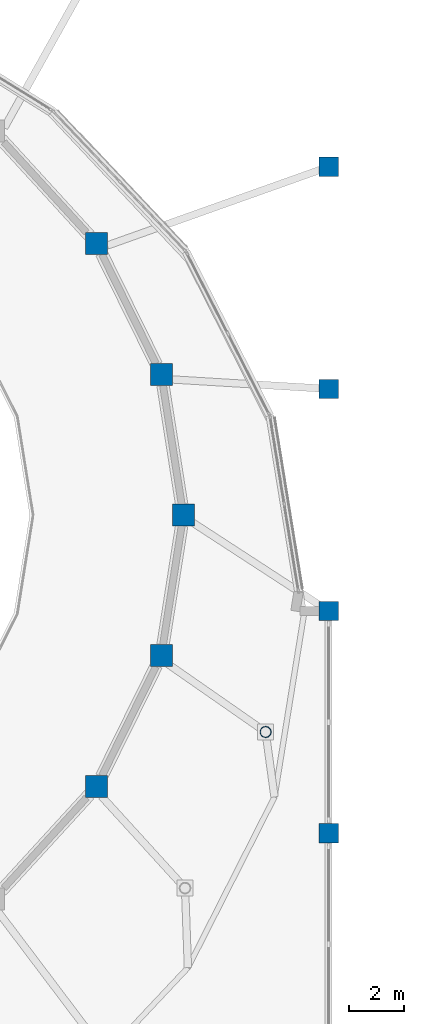
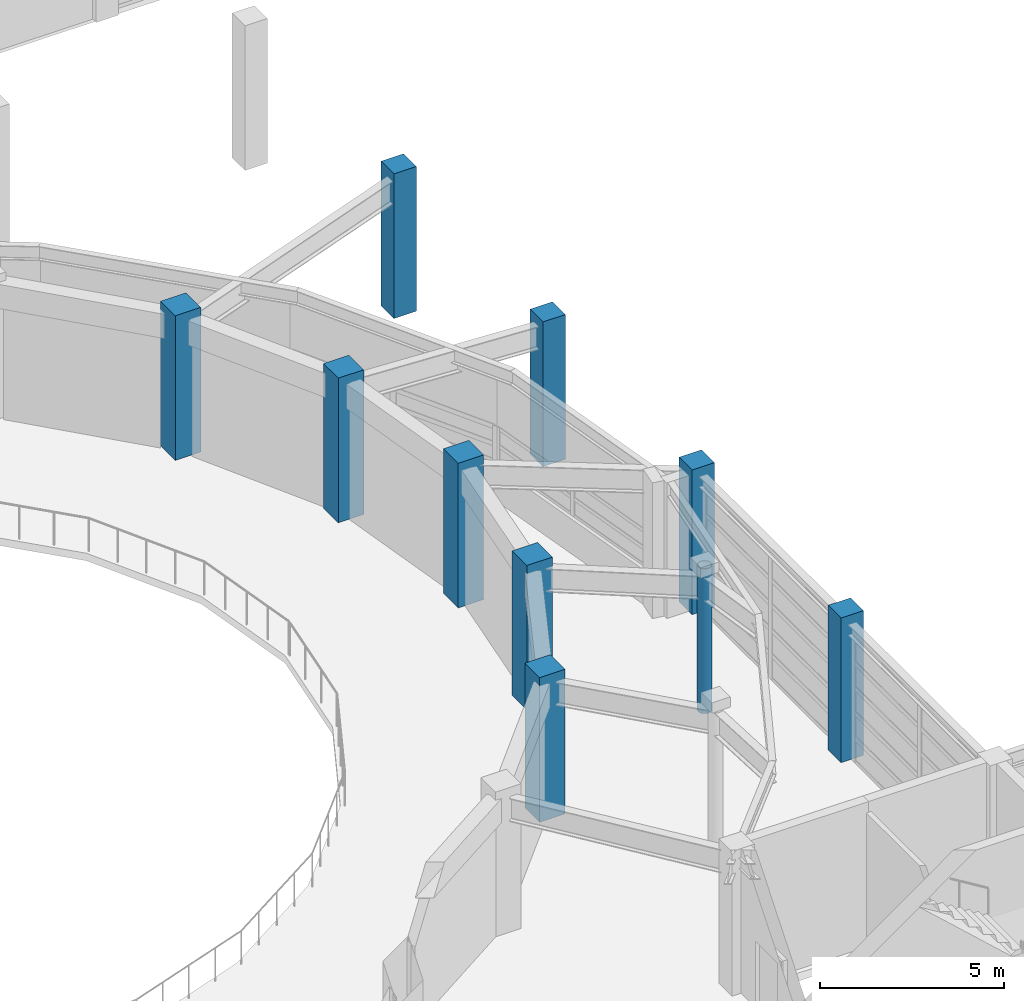
# One storey, part 6 of 58: 10 columns.
"""IFC4 building model written with IfcOpenShell, lengths in metres."""

from ifc_helpers import new_model, si_unit, direction, frame, origin, origin_2d, place, context, subcontext, project, spatial, rectangle, hollow_circle, extrude, material, material_profile, profile_set, type_object, element, save


model = new_model("IFC4")

# Units and contexts
model_context = context("Model", 3, precision=1e-05, world=origin(), true_north=direction((0.0, 1.0)))
body_context = subcontext(model_context, "Body", "Model", "MODEL_VIEW")
ifc_project = project(units=[si_unit("LENGTHUNIT", "METRE"), si_unit("AREAUNIT", "SQUARE_METRE"), si_unit("VOLUMEUNIT", "CUBIC_METRE"), si_unit("PLANEANGLEUNIT", "RADIAN"), si_unit("MASSUNIT", "GRAM", prefix="KILO")], contexts=[model_context])

# Site, building, storey
site_placement = place(None, origin())
site = spatial("IfcSite", under=ifc_project, at=site_placement, CompositionType="ELEMENT")
building_placement = place(site_placement, origin())
building = spatial("IfcBuilding", under=site, at=building_placement, Name="Parian Resonance Hall", CompositionType="ELEMENT")
storey_placement = place(building_placement, frame((0.0, 0.0, 10.199951171875)))
storey = spatial("IfcBuildingStorey", under=building, at=storey_placement, Name="L02", CompositionType="ELEMENT", Elevation=10.199951171875)

# Columns
ifc_material_1 = material(Name="Hollow structural steel S355", Category="steel")
ifc_material_profile_1 = material_profile(ifc_material_1, hollow_circle(Radius=0.203125, WallThickness=0.01611328125, at=origin_2d()), Name="CHS406.4x16")
ifc_profile_set_1 = profile_set([ifc_material_profile_1], Name="Hollow structural steel S355")
column_type_1 = type_object("IfcColumnType", Name="COL-CHS406", PredefinedType="COLUMN", material=ifc_profile_set_1)
column_placement = place(storey_placement, frame((70.59814453125, 36.091796875, 0.0), z_axis=(0.0, 0.0, 1.0), x_axis=(1.0, 0.0, 0.0)))
element("IfcColumn", 1, at=column_placement, inside=storey, type_object=column_type_1, Name="Column RNG-24 L02", PredefinedType="COLUMN", context=body_context, shape_type="SweptSolid", body=[
    extrude(hollow_circle(Radius=0.203125, WallThickness=0.01611328125, at=origin_2d()), origin(), (0.0, 0.0, 1.0), 4.800048828125),
])
ifc_material_2 = material(Name="Concrete C40/50", Category="concrete")
ifc_material_profile_2 = material_profile(ifc_material_2, rectangle(XDim=0.699951171875, YDim=0.699951171875, at=origin_2d()), Name="RC-COL-700x700")
ifc_profile_set_2 = profile_set([ifc_material_profile_2], Name="Concrete C40/50")
column_type_2 = type_object("IfcColumnType", Name="COL-RC700", PredefinedType="COLUMN", material=ifc_profile_set_2)
for number, where, z_axis, x_axis, name in (
    (2, (72.89990234375, 32.39990234375, 0.0), (0.0, 0.0, 1.0), (1.0, 0.0, 0.0), "Column G10-05 L02"),
    (3, (72.89990234375, 40.5, 0.0), (0.0, 0.0, 1.0), (1.0, 0.0, 0.0), "Column G10-06 L02"),
    (4, (72.89990234375, 48.60009765625, 0.0), (0.0, 0.0, 1.0), (1.0, 0.0, 0.0), "Column G10-07 L02"),
    (5, (72.89990234375, 56.699951171875, 0.0), (0.0, 0.0, 1.0), (1.0, 0.0, 0.0), "Column G10-08 L02"),
):
    element("IfcColumn", number, at=place(storey_placement, frame(where, z_axis=z_axis, x_axis=x_axis)), inside=storey, type_object=column_type_2, Name=name, PredefinedType="COLUMN", context=body_context, shape_type="SweptSolid", body=[
        extrude(rectangle(XDim=0.699951171875, YDim=0.699951171875, at=origin_2d()), origin(), (0.0, 0.0, 1.0), 4.800048828125),
    ])
ifc_material_3 = material(Name="Concrete C40/50", Category="concrete")
ifc_material_profile_3 = material_profile(ifc_material_3, rectangle(XDim=0.800048828125, YDim=0.800048828125, at=origin_2d()), Name="RC-COL-800x800")
ifc_profile_set_3 = profile_set([ifc_material_profile_3], Name="Concrete C40/50")
column_type_3 = type_object("IfcColumnType", Name="COL-RC800", PredefinedType="COLUMN", material=ifc_profile_set_3)
for number, where, z_axis, x_axis, name in (
    (6, (67.60009765625, 44.0, 0.0), (0.0, 0.0, 1.0), (1.0, 0.0, 0.0), "Column DRM-01 L02"),
    (7, (66.7958984375, 49.12451171875, 0.0), (0.0, 0.0, 1.0), (1.0, 0.0, 0.0), "Column DRM-02 L02"),
    (8, (64.438232421875, 53.89990234375, 0.0), (0.0, 0.0, 1.0), (1.0, 0.0, 0.0), "Column DRM-03 L02"),
    (9, (64.438232421875, 34.10009765625, 0.0), (0.0, 0.0, 1.0), (1.0, 0.0, 0.0), "Column DRM-23 L02"),
    (10, (66.7958984375, 38.87548828125, 0.0), (0.0, 0.0, 1.0), (1.0, 0.0, 0.0), "Column DRM-24 L02"),
):
    element("IfcColumn", number, at=place(storey_placement, frame(where, z_axis=z_axis, x_axis=x_axis)), inside=storey, type_object=column_type_3, Name=name, PredefinedType="COLUMN", context=body_context, shape_type="SweptSolid", body=[
        extrude(rectangle(XDim=0.800048828125, YDim=0.800048828125, at=origin_2d()), origin(), (0.0, 0.0, 1.0), 4.800048828125),
    ])

save(model, "model.ifc")
